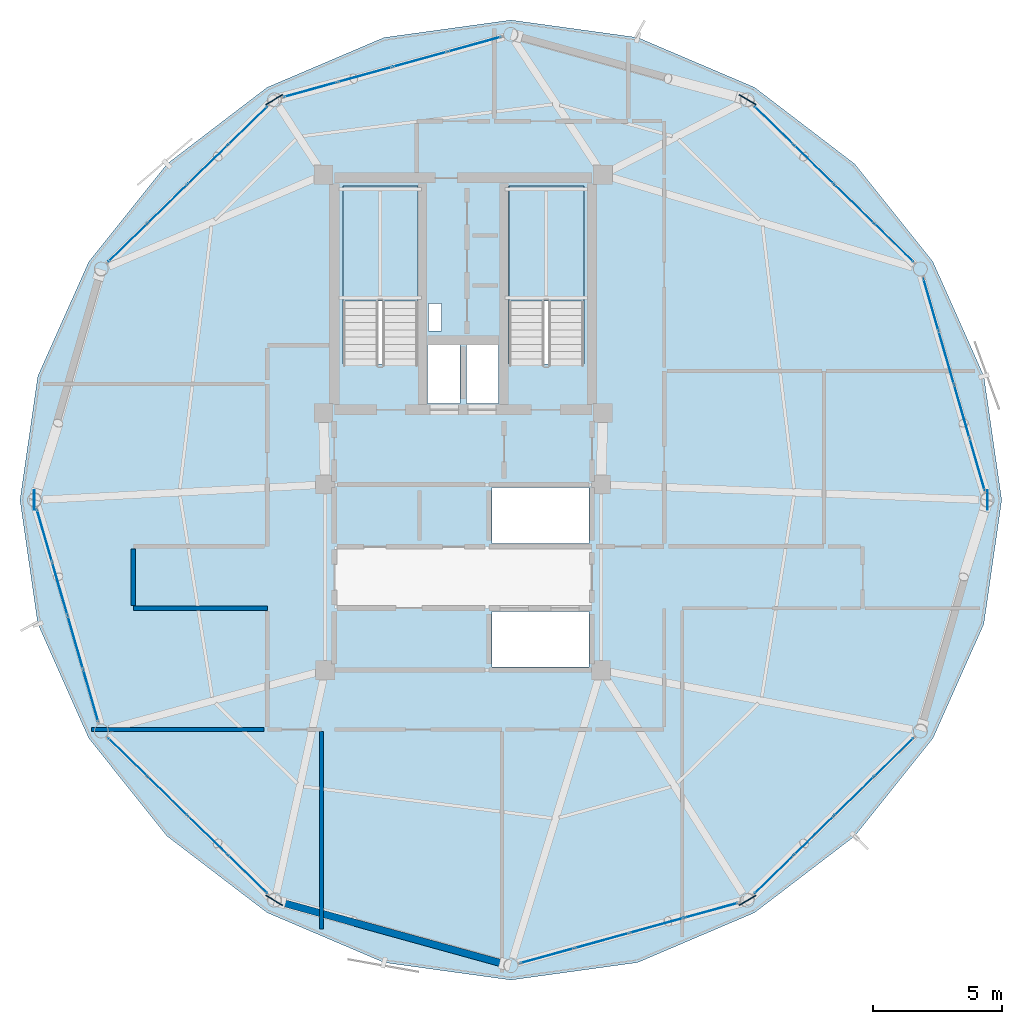
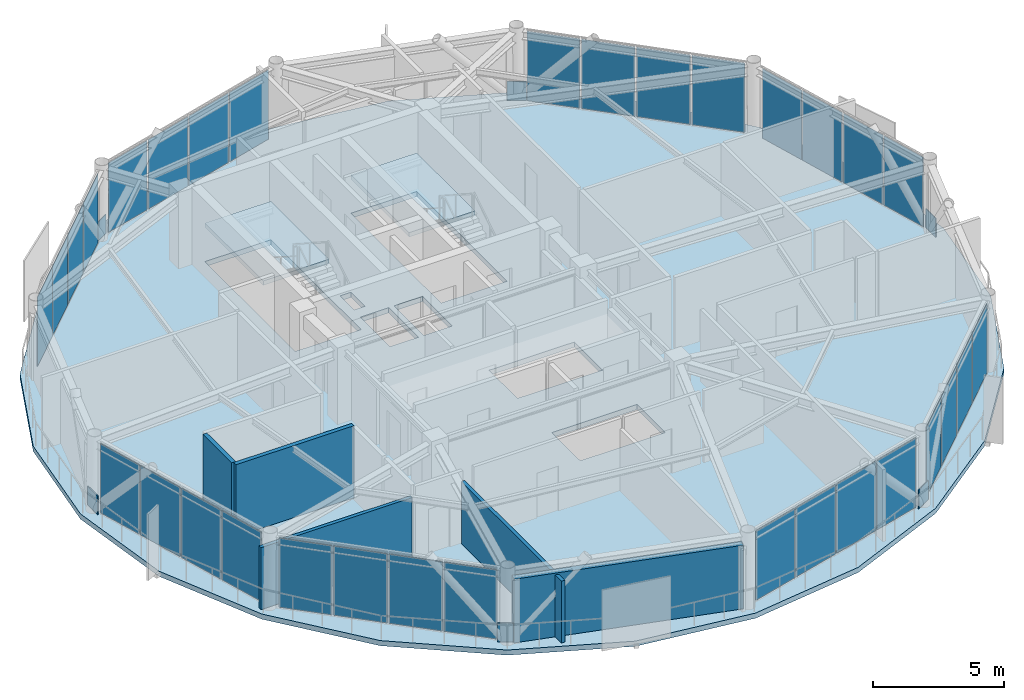
# One storey, part 21 of 27: 38 plates, 5 walls, 3 slabs, 10 elements without a shape of their own.
"""IFC4 building model written with IfcOpenShell, lengths in metres."""

from ifc_helpers import new_model, si_unit, direction, frame, frame_2d, origin, origin_2d, place, context, subcontext, project, spatial, polyline, rectangle, outline, extrude, source, transform, mapped, material, layer, layer_set, type_object, type_shapes, element, aggregate, save


model = new_model("IFC4")

# Units and contexts
model_context = context("Model", 3, precision=1e-05, world=origin(), true_north=direction((0.0, 1.0)))
body_context = subcontext(model_context, "Body", "Model", "MODEL_VIEW")
ifc_project = project(units=[si_unit("LENGTHUNIT", "METRE"), si_unit("AREAUNIT", "SQUARE_METRE"), si_unit("VOLUMEUNIT", "CUBIC_METRE"), si_unit("PLANEANGLEUNIT", "RADIAN"), si_unit("MASSUNIT", "GRAM", prefix="KILO")], contexts=[model_context])

# Site, building, storey
site_placement = place(None, origin())
site = spatial("IfcSite", under=ifc_project, at=site_placement, CompositionType="ELEMENT")
building_placement = place(site_placement, origin())
building = spatial("IfcBuilding", under=site, at=building_placement, Name="Varnakorn Sky Granary", CompositionType="ELEMENT")
storey_placement = place(building_placement, frame((0.0, 0.0, 249.0)))
storey = spatial("IfcBuildingStorey", under=building, at=storey_placement, Name="L63", CompositionType="ELEMENT", Elevation=249.0)

# Plates
ifc_material_1 = material(Name="Steel S460M", Category="steel")
ifc_layer_1 = layer(ifc_material_1, 0.035888671875, Name="Steel S460M")
ifc_layer_set_1 = layer_set([ifc_layer_1], Name="Steel S460M")
plate_type_1 = type_object("IfcPlateType", Name="PL-NODE-KN4", PredefinedType="SHEET", material=ifc_layer_set_1)
for number, where, z_axis, x_axis, name in (
    (1, (23.344970703125, 0.0, 0.0), (0.0, 0.0, 1.0), (0.0, 1.0, 0.0), "Diagrid Node Gusset Assembly KN4 L63-1"),
    (2, (14.030029296875, 15.534912109375, 0.0), (0.0, 0.0, 1.0), (-0.860918143155, 0.508743501961, 0.0), "Diagrid Node Gusset Assembly KN4 L63-3"),
    (3, (-4.330078125, 15.534912109375, 0.0), (0.0, 0.0, 1.0), (-0.860918143155, -0.508743501961, 0.0), "Diagrid Node Gusset Assembly KN4 L63-5"),
    (4, (-13.64501953125, 0.0, 0.0), (0.0, 0.0, 1.0), (0.0, -1.0, 0.0), "Diagrid Node Gusset Assembly KN4 L63-7"),
    (5, (-4.330078125, -15.534912109375, 0.0), (0.0, 0.0, 1.0), (0.860918143155, -0.508743501961, 0.0), "Diagrid Node Gusset Assembly KN4 L63-9"),
    (6, (14.030029296875, -15.534912109375, 0.0), (0.0, 0.0, 1.0), (0.860918143155, 0.508743501961, 0.0), "Diagrid Node Gusset Assembly KN4 L63-11"),
):
    element("IfcPlate", number, at=place(storey_placement, frame(where, z_axis=z_axis, x_axis=x_axis)), inside=storey, type_object=plate_type_1, Name=name, PredefinedType="SHEET", context=body_context, shape_type="SweptSolid", body=[
        extrude(rectangle(XDim=0.760009765625, YDim=0.035888671875, at=origin_2d()), origin(), (0.0, 0.0, 1.0), 0.8798828125),
    ])

# Stair, slab
ifc_material_2 = material(Name="Concrete C40/50", Category="concrete")
stair_type = type_object("IfcStairType", Name="ST-MAIN-ASSEMBLY", PredefinedType="HALF_TURN_STAIR", material=ifc_material_2)
stair_1_placement = place(storey_placement, origin())
stair_1 = element("IfcStair", 7, at=stair_1_placement, inside=storey, type_object=stair_type, Name="L63 Protected Exit Stair ST-1", PredefinedType="HALF_TURN_STAIR")
ifc_layer_2 = layer(ifc_material_2, 0.199951171875, Name="Concrete C40/50")
ifc_layer_set_2 = layer_set([ifc_layer_2], Name="Concrete C40/50")
slab_type_1 = type_object("IfcSlabType", Name="ST-MAIN-LAND", PredefinedType="LANDING", material=ifc_layer_set_2)
slab_1_placement = place(storey_placement, frame((0.0, 0.0, 1.60009765625)))
slab_1 = element("IfcSlab", 8, at=slab_1_placement, type_object=slab_type_1, Name="ST-1 landing 1", PredefinedType="LANDING", context=body_context, shape_type="SweptSolid", body=[
    extrude(outline(polyline([(1.239990234375, 7.719970703125), (1.239990234375, 12.179931640625), (-1.669921875, 12.179931640625), (-1.669921875, 7.719970703125), (1.239990234375, 7.719970703125)])), origin(), (0.0, 0.0, 1.0), 0.199951171875),
])
aggregate(stair_1, [slab_1])

stair_2_placement = place(storey_placement, origin())
stair_2 = element("IfcStair", 9, at=stair_2_placement, inside=storey, type_object=stair_type, Name="L63 Protected Exit Stair ST-2", PredefinedType="HALF_TURN_STAIR")
slab_2_placement = place(storey_placement, frame((0.0, 0.0, 1.60009765625)))
slab_2 = element("IfcSlab", 10, at=slab_2_placement, type_object=slab_type_1, Name="ST-2 landing 1", PredefinedType="LANDING", context=body_context, shape_type="SweptSolid", body=[
    extrude(outline(polyline([(7.679931640625, 7.719970703125), (7.679931640625, 12.179931640625), (4.77001953125, 12.179931640625), (4.77001953125, 7.719970703125), (7.679931640625, 7.719970703125)])), origin(), (0.0, 0.0, 1.0), 0.199951171875),
])
aggregate(stair_2, [slab_2])

# Slab
ifc_material_3 = material(Name="Concrete C50/60", Category="concrete")
ifc_layer_3 = layer(ifc_material_3, 0.239990234375, Name="Concrete C50/60")
ifc_layer_set_3 = layer_set([ifc_layer_3], Name="Concrete C50/60")
slab_type_2 = type_object("IfcSlabType", Name="ST-SL-TWR-240", PredefinedType="FLOOR", material=ifc_layer_set_3)
slab_3_placement = place(storey_placement, frame((0.0, 0.0, -0.239990234375)))
element("IfcSlab", 11, at=slab_3_placement, inside=storey, type_object=slab_type_2, Name="Level L63 Structural Floor Slab", PredefinedType="FLOOR", context=body_context, shape_type="SweptSolid", body=[
    extrude(outline(polyline([(23.89501953125, 0.0), (23.20263671875, 4.808349609375), (21.2265625, 9.243896484375), (18.189697265625, 13.041259765625), (14.304931640625, 16.010986328125), (9.767578125, 17.945068359375), (4.85009765625, 18.623046875), (-0.067626953125, 17.945068359375), (-4.60498046875, 16.010986328125), (-8.489501953125, 13.041259765625), (-11.526611328125, 9.243896484375), (-13.502685546875, 4.808349609375), (-14.195068359375, 0.0), (-13.502685546875, -4.808349609375), (-11.526611328125, -9.243896484375), (-8.489501953125, -13.041259765625), (-4.60498046875, -16.010986328125), (-0.067626953125, -17.945068359375), (4.85009765625, -18.623046875), (9.767578125, -17.945068359375), (14.304931640625, -16.010986328125), (18.189697265625, -13.041259765625), (21.2265625, -9.243896484375), (23.20263671875, -4.808349609375), (23.89501953125, 0.0)]), holes=[polyline([(1.239990234375, 5.27490234375), (1.239990234375, 12.179931640625), (-1.669921875, 12.179931640625), (-1.669921875, 5.27490234375), (1.239990234375, 5.27490234375)]), polyline([(7.679931640625, 5.27490234375), (7.679931640625, 12.179931640625), (4.77001953125, 12.179931640625), (4.77001953125, 5.27490234375), (7.679931640625, 5.27490234375)]), polyline([(1.659912109375, 6.550048828125), (2.14990234375, 6.550048828125), (2.14990234375, 7.6201171875), (1.659912109375, 7.6201171875), (1.659912109375, 6.550048828125)]), polyline([(1.6201171875, 3.739990234375), (2.8798828125, 3.739990234375), (2.8798828125, 6.010009765625), (1.6201171875, 6.010009765625), (1.6201171875, 3.739990234375)]), polyline([(3.1201171875, 3.739990234375), (4.3798828125, 3.739990234375), (4.3798828125, 6.010009765625), (3.1201171875, 6.010009765625), (3.1201171875, 3.739990234375)]), polyline([(4.1201171875, -1.679931640625), (7.8798828125, -1.679931640625), (7.8798828125, 0.47998046875), (4.1201171875, 0.47998046875), (4.1201171875, -1.679931640625)]), polyline([(4.1201171875, -6.47998046875), (7.8798828125, -6.47998046875), (7.8798828125, -4.320068359375), (4.1201171875, -4.320068359375), (4.1201171875, -6.47998046875)])]), origin(), (0.0, 0.0, 1.0), 0.239990234375),
])

# Curtain wall, plates
ifc_material_4 = material(Name="Anodised Bronze Aluminium Alloy 6063-T6", Category="aluminium")
ifc_layer_4 = layer(ifc_material_4, 0.159912109375, Name="Anodised Bronze Aluminium Alloy 6063-T6")
ifc_layer_set_4 = layer_set([ifc_layer_4], Name="Anodised Bronze Aluminium Alloy 6063-T6")
curtain_wall_type = type_object("IfcCurtainWallType", Name="CW-OFF-1", PredefinedType="USERDEFINED", material=ifc_layer_set_4)
curtain_wall_1_placement = place(storey_placement, origin())
curtain_wall_1 = element("IfcCurtainWall", 12, at=curtain_wall_1_placement, inside=storey, type_object=curtain_wall_type, Name="Unitised Curtain Wall CW6 CW-L63-B01", ObjectType="CURTAIN WALL", PredefinedType="USERDEFINED")
ifc_material_5 = material(Name="Low-E Tinted Laminated Glass", Category="glass")
ifc_layer_5 = layer(ifc_material_5, 0.02392578125, Name="Low-E Tinted Laminated Glass")
ifc_layer_set_5 = layer_set([ifc_layer_5], Name="Low-E Tinted Laminated Glass")
plate_type_2 = type_object("IfcPlateType", Name="CW-OFF-1-PNL", PredefinedType="CURTAIN_PANEL")
shared_shape_1 = source(origin(), body_context, "Body", "SweptSolid", [
    extrude(rectangle(XDim=2.06689453125, YDim=0.02392578125, at=origin_2d()), origin(), (0.0, 0.0, 1.0), 3.22998046875),
])
plate_1_placement = place(storey_placement, frame((21.14990234375, 7.587646484375, 0.06494140625), z_axis=(0.0, 0.0, 1.0), x_axis=(0.277898775352, -0.960610363601, 0.0)))
plate_1 = element("IfcPlate", 13, at=plate_1_placement, type_object=plate_type_2, material=ifc_layer_set_5, Name="CW6 vision glazing unit 1.1", PredefinedType="CURTAIN_PANEL", context=body_context, shape_type="MappedRepresentation", body=[
    mapped(shared_shape_1, transform((0.0, 0.0, 0.0), x_axis=(1.0, 0.0, 0.0), y_axis=(0.0, 1.0, 0.0), z_axis=(0.0, 0.0, 1.0), scale=1.0)),
])
ifc_material_6 = material(Name="Opaque Insulated Aluminium Shadow-Box Unit", Category="aluminium")
ifc_layer_6 = layer(ifc_material_6, 0.02392578125, Name="Opaque Insulated Aluminium Shadow-Box Unit")
ifc_layer_set_6 = layer_set([ifc_layer_6], Name="Opaque Insulated Aluminium Shadow-Box Unit")
plate_2_placement = place(storey_placement, frame((22.9453125, 1.38134765625, 0.06494140625), z_axis=(0.0, 0.0, 1.0), x_axis=(0.277898775352, -0.960610363601, 0.0)))
plate_2 = element("IfcPlate", 14, at=plate_2_placement, type_object=plate_type_2, material=ifc_layer_set_6, Name="CW6 opaque insulated shadow-box unit 4.1", PredefinedType="CURTAIN_PANEL", context=body_context, shape_type="MappedRepresentation", body=[
    mapped(shared_shape_1, transform((0.0, 0.0, 0.0), x_axis=(1.0, 0.0, 0.0), y_axis=(0.0, 1.0, 0.0), z_axis=(0.0, 0.0, 1.0), scale=1.0)),
])

curtain_wall_2_placement = place(storey_placement, origin())
curtain_wall_2 = element("IfcCurtainWall", 15, at=curtain_wall_2_placement, inside=storey, type_object=curtain_wall_type, Name="Unitised Curtain Wall CW6 CW-L63-B07", ObjectType="CURTAIN WALL", PredefinedType="USERDEFINED")
plate_3_placement = place(storey_placement, frame((-11.449951171875, -7.587646484375, 0.06494140625), z_axis=(0.0, 0.0, 1.0), x_axis=(-0.277898775352, 0.960610363601, 0.0)))
plate_3 = element("IfcPlate", 16, at=plate_3_placement, type_object=plate_type_2, material=ifc_layer_set_5, Name="CW6 vision glazing unit 1.1", PredefinedType="CURTAIN_PANEL", context=body_context, shape_type="MappedRepresentation", body=[
    mapped(shared_shape_1, transform((0.0, 0.0, 0.0), x_axis=(1.0, 0.0, 0.0), y_axis=(0.0, 1.0, 0.0), z_axis=(0.0, 0.0, 1.0), scale=1.0)),
])
plate_4_placement = place(storey_placement, frame((-13.245361328125, -1.38134765625, 0.06494140625), z_axis=(0.0, 0.0, 1.0), x_axis=(-0.277898775352, 0.960610363601, 0.0)))
plate_4 = element("IfcPlate", 17, at=plate_4_placement, type_object=plate_type_2, material=ifc_layer_set_6, Name="CW6 opaque insulated shadow-box unit 4.1", PredefinedType="CURTAIN_PANEL", context=body_context, shape_type="MappedRepresentation", body=[
    mapped(shared_shape_1, transform((0.0, 0.0, 0.0), x_axis=(1.0, 0.0, 0.0), y_axis=(0.0, 1.0, 0.0), z_axis=(0.0, 0.0, 1.0), scale=1.0)),
])

# Plate
shared_shape_2 = source(origin(), body_context, "Body", "SweptSolid", [
    extrude(rectangle(XDim=2.099365234375, YDim=0.02392578125, at=origin_2d()), origin(), (0.0, 0.0, 1.0), 3.22998046875),
])
plate_5_placement = place(storey_placement, frame((21.746826171875, 5.524169921875, 0.06494140625), z_axis=(0.0, 0.0, 1.0), x_axis=(0.277898775352, -0.960610363601, 0.0)))
plate_5 = element("IfcPlate", 18, at=plate_5_placement, type_object=plate_type_2, material=ifc_layer_set_5, Name="CW6 vision glazing unit 2.1", PredefinedType="CURTAIN_PANEL", context=body_context, shape_type="MappedRepresentation", body=[
    mapped(shared_shape_2, transform((0.0, 0.0, 0.0), x_axis=(1.0, 0.0, 0.0), y_axis=(0.0, 1.0, 0.0), z_axis=(0.0, 0.0, 1.0), scale=1.0)),
])

plate_6_placement = place(storey_placement, frame((22.348388671875, 3.44482421875, 0.06494140625), z_axis=(0.0, 0.0, 1.0), x_axis=(0.277898775352, -0.960610363601, 0.0)))
plate_6 = element("IfcPlate", 19, at=plate_6_placement, type_object=plate_type_2, material=ifc_layer_set_6, Name="CW6 opaque insulated shadow-box unit 3.1", PredefinedType="CURTAIN_PANEL", context=body_context, shape_type="MappedRepresentation", body=[
    mapped(shared_shape_2, transform((0.0, 0.0, 0.0), x_axis=(1.0, 0.0, 0.0), y_axis=(0.0, 1.0, 0.0), z_axis=(0.0, 0.0, 1.0), scale=1.0)),
])

aggregate(curtain_wall_1, [plate_1, plate_5, plate_6, plate_2])

plate_7_placement = place(storey_placement, frame((-12.046875, -5.524169921875, 0.06494140625), z_axis=(0.0, 0.0, 1.0), x_axis=(-0.277898775352, 0.960610363601, 0.0)))
plate_7 = element("IfcPlate", 20, at=plate_7_placement, type_object=plate_type_2, material=ifc_layer_set_5, Name="CW6 vision glazing unit 2.1", PredefinedType="CURTAIN_PANEL", context=body_context, shape_type="MappedRepresentation", body=[
    mapped(shared_shape_2, transform((0.0, 0.0, 0.0), x_axis=(1.0, 0.0, 0.0), y_axis=(0.0, 1.0, 0.0), z_axis=(0.0, 0.0, 1.0), scale=1.0)),
])

plate_8_placement = place(storey_placement, frame((-12.6484375, -3.44482421875, 0.06494140625), z_axis=(0.0, 0.0, 1.0), x_axis=(-0.277898775352, 0.960610363601, 0.0)))
plate_8 = element("IfcPlate", 21, at=plate_8_placement, type_object=plate_type_2, material=ifc_layer_set_6, Name="CW6 opaque insulated shadow-box unit 3.1", PredefinedType="CURTAIN_PANEL", context=body_context, shape_type="MappedRepresentation", body=[
    mapped(shared_shape_2, transform((0.0, 0.0, 0.0), x_axis=(1.0, 0.0, 0.0), y_axis=(0.0, 1.0, 0.0), z_axis=(0.0, 0.0, 1.0), scale=1.0)),
])

aggregate(curtain_wall_2, [plate_3, plate_7, plate_8, plate_4])

# Curtain wall, plates
curtain_wall_3_placement = place(storey_placement, origin())
curtain_wall_3 = element("IfcCurtainWall", 22, at=curtain_wall_3_placement, inside=storey, type_object=curtain_wall_type, Name="Unitised Curtain Wall CW6 CW-L63-B02", ObjectType="CURTAIN WALL", PredefinedType="USERDEFINED")
shared_shape_3 = source(origin(), body_context, "Body", "SweptSolid", [
    extrude(rectangle(XDim=2.08154296875, YDim=0.02392578125, at=origin_2d()), origin(), (0.0, 0.0, 1.0), 3.22998046875),
])
plate_9_placement = place(storey_placement, frame((15.063720703125, 14.524658203125, 0.06494140625), z_axis=(0.0, 0.0, 1.0), x_axis=(0.71528494936, -0.698832913663, 0.0)))
plate_9 = element("IfcPlate", 23, at=plate_9_placement, type_object=plate_type_2, material=ifc_layer_set_6, Name="CW6 opaque insulated shadow-box unit 1.1", PredefinedType="CURTAIN_PANEL", context=body_context, shape_type="MappedRepresentation", body=[
    mapped(shared_shape_3, transform((0.0, 0.0, 0.0), x_axis=(1.0, 0.0, 0.0), y_axis=(0.0, 1.0, 0.0), z_axis=(0.0, 0.0, 1.0), scale=1.0)),
])
plate_10_placement = place(storey_placement, frame((19.716552734375, 9.97900390625, 0.06494140625), z_axis=(0.0, 0.0, 1.0), x_axis=(0.71528494936, -0.698832913663, 0.0)))
plate_10 = element("IfcPlate", 24, at=plate_10_placement, type_object=plate_type_2, material=ifc_layer_set_5, Name="CW6 vision glazing unit 4.1", PredefinedType="CURTAIN_PANEL", context=body_context, shape_type="MappedRepresentation", body=[
    mapped(shared_shape_3, transform((0.0, 0.0, 0.0), x_axis=(1.0, 0.0, 0.0), y_axis=(0.0, 1.0, 0.0), z_axis=(0.0, 0.0, 1.0), scale=1.0)),
])

curtain_wall_4_placement = place(storey_placement, origin())
curtain_wall_4 = element("IfcCurtainWall", 25, at=curtain_wall_4_placement, inside=storey, type_object=curtain_wall_type, Name="Unitised Curtain Wall CW6 CW-L63-B05", ObjectType="CURTAIN WALL", PredefinedType="USERDEFINED")
plate_11_placement = place(storey_placement, frame((-10.016357421875, 9.97900390625, 0.06494140625), z_axis=(0.0, 0.0, 1.0), x_axis=(0.71528494936, 0.698832913663, 0.0)))
plate_11 = element("IfcPlate", 26, at=plate_11_placement, type_object=plate_type_2, material=ifc_layer_set_5, Name="CW6 vision glazing unit 1.1", PredefinedType="CURTAIN_PANEL", context=body_context, shape_type="MappedRepresentation", body=[
    mapped(shared_shape_3, transform((0.0, 0.0, 0.0), x_axis=(1.0, 0.0, 0.0), y_axis=(0.0, 1.0, 0.0), z_axis=(0.0, 0.0, 1.0), scale=1.0)),
])
plate_12_placement = place(storey_placement, frame((-5.36376953125, 14.524658203125, 0.06494140625), z_axis=(0.0, 0.0, 1.0), x_axis=(0.71528494936, 0.698832913663, 0.0)))
plate_12 = element("IfcPlate", 27, at=plate_12_placement, type_object=plate_type_2, material=ifc_layer_set_6, Name="CW6 opaque insulated shadow-box unit 4.1", PredefinedType="CURTAIN_PANEL", context=body_context, shape_type="MappedRepresentation", body=[
    mapped(shared_shape_3, transform((0.0, 0.0, 0.0), x_axis=(1.0, 0.0, 0.0), y_axis=(0.0, 1.0, 0.0), z_axis=(0.0, 0.0, 1.0), scale=1.0)),
])

curtain_wall_5_placement = place(storey_placement, origin())
curtain_wall_5 = element("IfcCurtainWall", 28, at=curtain_wall_5_placement, inside=storey, type_object=curtain_wall_type, Name="Unitised Curtain Wall CW6 CW-L63-B08", ObjectType="CURTAIN WALL", PredefinedType="USERDEFINED")
plate_13_placement = place(storey_placement, frame((-5.36376953125, -14.524658203125, 0.06494140625), z_axis=(0.0, 0.0, 1.0), x_axis=(-0.71528494936, 0.698832913663, 0.0)))
plate_13 = element("IfcPlate", 29, at=plate_13_placement, type_object=plate_type_2, material=ifc_layer_set_6, Name="CW6 opaque insulated shadow-box unit 1.1", PredefinedType="CURTAIN_PANEL", context=body_context, shape_type="MappedRepresentation", body=[
    mapped(shared_shape_3, transform((0.0, 0.0, 0.0), x_axis=(1.0, 0.0, 0.0), y_axis=(0.0, 1.0, 0.0), z_axis=(0.0, 0.0, 1.0), scale=1.0)),
])
plate_14_placement = place(storey_placement, frame((-10.016357421875, -9.97900390625, 0.06494140625), z_axis=(0.0, 0.0, 1.0), x_axis=(-0.71528494936, 0.698832913663, 0.0)))
plate_14 = element("IfcPlate", 30, at=plate_14_placement, type_object=plate_type_2, material=ifc_layer_set_5, Name="CW6 vision glazing unit 4.1", PredefinedType="CURTAIN_PANEL", context=body_context, shape_type="MappedRepresentation", body=[
    mapped(shared_shape_3, transform((0.0, 0.0, 0.0), x_axis=(1.0, 0.0, 0.0), y_axis=(0.0, 1.0, 0.0), z_axis=(0.0, 0.0, 1.0), scale=1.0)),
])

curtain_wall_6_placement = place(storey_placement, origin())
curtain_wall_6 = element("IfcCurtainWall", 31, at=curtain_wall_6_placement, inside=storey, type_object=curtain_wall_type, Name="Unitised Curtain Wall CW6 CW-L63-B11", ObjectType="CURTAIN WALL", PredefinedType="USERDEFINED")
plate_15_placement = place(storey_placement, frame((19.716552734375, -9.97900390625, 0.06494140625), z_axis=(0.0, 0.0, 1.0), x_axis=(-0.71528494936, -0.698832913663, 0.0)))
plate_15 = element("IfcPlate", 32, at=plate_15_placement, type_object=plate_type_2, material=ifc_layer_set_5, Name="CW6 vision glazing unit 1.1", PredefinedType="CURTAIN_PANEL", context=body_context, shape_type="MappedRepresentation", body=[
    mapped(shared_shape_3, transform((0.0, 0.0, 0.0), x_axis=(1.0, 0.0, 0.0), y_axis=(0.0, 1.0, 0.0), z_axis=(0.0, 0.0, 1.0), scale=1.0)),
])
plate_16_placement = place(storey_placement, frame((15.063720703125, -14.524658203125, 0.06494140625), z_axis=(0.0, 0.0, 1.0), x_axis=(-0.71528494936, -0.698832913663, 0.0)))
plate_16 = element("IfcPlate", 33, at=plate_16_placement, type_object=plate_type_2, material=ifc_layer_set_6, Name="CW6 opaque insulated shadow-box unit 4.1", PredefinedType="CURTAIN_PANEL", context=body_context, shape_type="MappedRepresentation", body=[
    mapped(shared_shape_3, transform((0.0, 0.0, 0.0), x_axis=(1.0, 0.0, 0.0), y_axis=(0.0, 1.0, 0.0), z_axis=(0.0, 0.0, 1.0), scale=1.0)),
])

# Plate
shared_shape_4 = source(origin(), body_context, "Body", "SweptSolid", [
    extrude(rectangle(XDim=2.114013671875, YDim=0.02392578125, at=origin_2d()), origin(), (0.0, 0.0, 1.0), 3.22998046875),
])
plate_17_placement = place(storey_placement, frame((16.61083984375, 13.01318359375, 0.06494140625), z_axis=(0.0, 0.0, 1.0), x_axis=(0.71528494936, -0.698832913663, 0.0)))
plate_17 = element("IfcPlate", 34, at=plate_17_placement, type_object=plate_type_2, material=ifc_layer_set_6, Name="CW6 opaque insulated shadow-box unit 2.1", PredefinedType="CURTAIN_PANEL", context=body_context, shape_type="MappedRepresentation", body=[
    mapped(shared_shape_4, transform((0.0, 0.0, 0.0), x_axis=(1.0, 0.0, 0.0), y_axis=(0.0, 1.0, 0.0), z_axis=(0.0, 0.0, 1.0), scale=1.0)),
])

plate_18_placement = place(storey_placement, frame((18.16943359375, 11.490478515625, 0.06494140625), z_axis=(0.0, 0.0, 1.0), x_axis=(0.71528494936, -0.698832913663, 0.0)))
plate_18 = element("IfcPlate", 35, at=plate_18_placement, type_object=plate_type_2, material=ifc_layer_set_5, Name="CW6 vision glazing unit 3.1", PredefinedType="CURTAIN_PANEL", context=body_context, shape_type="MappedRepresentation", body=[
    mapped(shared_shape_4, transform((0.0, 0.0, 0.0), x_axis=(1.0, 0.0, 0.0), y_axis=(0.0, 1.0, 0.0), z_axis=(0.0, 0.0, 1.0), scale=1.0)),
])

aggregate(curtain_wall_3, [plate_9, plate_17, plate_18, plate_10])

plate_19_placement = place(storey_placement, frame((-8.469482421875, 11.490478515625, 0.06494140625), z_axis=(0.0, 0.0, 1.0), x_axis=(0.71528494936, 0.698832913663, 0.0)))
plate_19 = element("IfcPlate", 36, at=plate_19_placement, type_object=plate_type_2, material=ifc_layer_set_5, Name="CW6 vision glazing unit 2.1", PredefinedType="CURTAIN_PANEL", context=body_context, shape_type="MappedRepresentation", body=[
    mapped(shared_shape_4, transform((0.0, 0.0, 0.0), x_axis=(1.0, 0.0, 0.0), y_axis=(0.0, 1.0, 0.0), z_axis=(0.0, 0.0, 1.0), scale=1.0)),
])

plate_20_placement = place(storey_placement, frame((-6.910888671875, 13.01318359375, 0.06494140625), z_axis=(0.0, 0.0, 1.0), x_axis=(0.71528494936, 0.698832913663, 0.0)))
plate_20 = element("IfcPlate", 37, at=plate_20_placement, type_object=plate_type_2, material=ifc_layer_set_6, Name="CW6 opaque insulated shadow-box unit 3.1", PredefinedType="CURTAIN_PANEL", context=body_context, shape_type="MappedRepresentation", body=[
    mapped(shared_shape_4, transform((0.0, 0.0, 0.0), x_axis=(1.0, 0.0, 0.0), y_axis=(0.0, 1.0, 0.0), z_axis=(0.0, 0.0, 1.0), scale=1.0)),
])

aggregate(curtain_wall_4, [plate_11, plate_19, plate_20, plate_12])

plate_21_placement = place(storey_placement, frame((-6.910888671875, -13.01318359375, 0.06494140625), z_axis=(0.0, 0.0, 1.0), x_axis=(-0.71528494936, 0.698832913663, 0.0)))
plate_21 = element("IfcPlate", 38, at=plate_21_placement, type_object=plate_type_2, material=ifc_layer_set_6, Name="CW6 opaque insulated shadow-box unit 2.1", PredefinedType="CURTAIN_PANEL", context=body_context, shape_type="MappedRepresentation", body=[
    mapped(shared_shape_4, transform((0.0, 0.0, 0.0), x_axis=(1.0, 0.0, 0.0), y_axis=(0.0, 1.0, 0.0), z_axis=(0.0, 0.0, 1.0), scale=1.0)),
])

plate_22_placement = place(storey_placement, frame((-8.469482421875, -11.490478515625, 0.06494140625), z_axis=(0.0, 0.0, 1.0), x_axis=(-0.71528494936, 0.698832913663, 0.0)))
plate_22 = element("IfcPlate", 39, at=plate_22_placement, type_object=plate_type_2, material=ifc_layer_set_5, Name="CW6 vision glazing unit 3.1", PredefinedType="CURTAIN_PANEL", context=body_context, shape_type="MappedRepresentation", body=[
    mapped(shared_shape_4, transform((0.0, 0.0, 0.0), x_axis=(1.0, 0.0, 0.0), y_axis=(0.0, 1.0, 0.0), z_axis=(0.0, 0.0, 1.0), scale=1.0)),
])

aggregate(curtain_wall_5, [plate_13, plate_21, plate_22, plate_14])

plate_23_placement = place(storey_placement, frame((18.16943359375, -11.490478515625, 0.06494140625), z_axis=(0.0, 0.0, 1.0), x_axis=(-0.71528494936, -0.698832913663, 0.0)))
plate_23 = element("IfcPlate", 40, at=plate_23_placement, type_object=plate_type_2, material=ifc_layer_set_5, Name="CW6 vision glazing unit 2.1", PredefinedType="CURTAIN_PANEL", context=body_context, shape_type="MappedRepresentation", body=[
    mapped(shared_shape_4, transform((0.0, 0.0, 0.0), x_axis=(1.0, 0.0, 0.0), y_axis=(0.0, 1.0, 0.0), z_axis=(0.0, 0.0, 1.0), scale=1.0)),
])

plate_24_placement = place(storey_placement, frame((16.61083984375, -13.01318359375, 0.06494140625), z_axis=(0.0, 0.0, 1.0), x_axis=(-0.71528494936, -0.698832913663, 0.0)))
plate_24 = element("IfcPlate", 41, at=plate_24_placement, type_object=plate_type_2, material=ifc_layer_set_6, Name="CW6 opaque insulated shadow-box unit 3.1", PredefinedType="CURTAIN_PANEL", context=body_context, shape_type="MappedRepresentation", body=[
    mapped(shared_shape_4, transform((0.0, 0.0, 0.0), x_axis=(1.0, 0.0, 0.0), y_axis=(0.0, 1.0, 0.0), z_axis=(0.0, 0.0, 1.0), scale=1.0)),
])

aggregate(curtain_wall_6, [plate_15, plate_23, plate_24, plate_16])

# Curtain wall, plates
curtain_wall_7_placement = place(storey_placement, origin())
curtain_wall_7 = element("IfcCurtainWall", 42, at=curtain_wall_7_placement, inside=storey, type_object=curtain_wall_type, Name="Unitised Curtain Wall CW6 CW-L63-B04", ObjectType="CURTAIN WALL", PredefinedType="USERDEFINED")
shared_shape_5 = source(origin(), body_context, "Body", "SweptSolid", [
    extrude(rectangle(XDim=2.11376953125, YDim=0.02392578125, at=origin_2d()), origin(), (0.0, 0.0, 1.0), 3.22998046875),
])
plate_25_placement = place(storey_placement, frame((-2.92138671875, 15.92431640625, 0.06494140625), z_axis=(0.0, 0.0, 1.0), x_axis=(0.963838555762, 0.266486844753, 0.0)))
plate_25 = element("IfcPlate", 43, at=plate_25_placement, type_object=plate_type_2, material=ifc_layer_set_6, Name="CW6 opaque insulated shadow-box unit 1.1", PredefinedType="CURTAIN_PANEL", context=body_context, shape_type="MappedRepresentation", body=[
    mapped(shared_shape_5, transform((0.0, 0.0, 0.0), x_axis=(1.0, 0.0, 0.0), y_axis=(0.0, 1.0, 0.0), z_axis=(0.0, 0.0, 1.0), scale=1.0)),
])
plate_26_placement = place(storey_placement, frame((3.44140625, 17.68359375, 0.06494140625), z_axis=(0.0, 0.0, 1.0), x_axis=(0.963838555762, 0.266486844753, 0.0)))
plate_26 = element("IfcPlate", 44, at=plate_26_placement, type_object=plate_type_2, material=ifc_layer_set_5, Name="CW6 vision glazing unit 4.1", PredefinedType="CURTAIN_PANEL", context=body_context, shape_type="MappedRepresentation", body=[
    mapped(shared_shape_5, transform((0.0, 0.0, 0.0), x_axis=(1.0, 0.0, 0.0), y_axis=(0.0, 1.0, 0.0), z_axis=(0.0, 0.0, 1.0), scale=1.0)),
])

curtain_wall_8_placement = place(storey_placement, origin())
curtain_wall_8 = element("IfcCurtainWall", 45, at=curtain_wall_8_placement, inside=storey, type_object=curtain_wall_type, Name="Unitised Curtain Wall CW6 CW-L63-B10", ObjectType="CURTAIN WALL", PredefinedType="USERDEFINED")
plate_27_placement = place(storey_placement, frame((12.621337890625, -15.92431640625, 0.06494140625), z_axis=(0.0, 0.0, 1.0), x_axis=(-0.963838555762, -0.266486844753, 0.0)))
plate_27 = element("IfcPlate", 46, at=plate_27_placement, type_object=plate_type_2, material=ifc_layer_set_6, Name="CW6 opaque insulated shadow-box unit 1.1", PredefinedType="CURTAIN_PANEL", context=body_context, shape_type="MappedRepresentation", body=[
    mapped(shared_shape_5, transform((0.0, 0.0, 0.0), x_axis=(1.0, 0.0, 0.0), y_axis=(0.0, 1.0, 0.0), z_axis=(0.0, 0.0, 1.0), scale=1.0)),
])
plate_28_placement = place(storey_placement, frame((6.258544921875, -17.68359375, 0.06494140625), z_axis=(0.0, 0.0, 1.0), x_axis=(-0.963838555762, -0.266486844753, 0.0)))
plate_28 = element("IfcPlate", 47, at=plate_28_placement, type_object=plate_type_2, material=ifc_layer_set_5, Name="CW6 vision glazing unit 4.1", PredefinedType="CURTAIN_PANEL", context=body_context, shape_type="MappedRepresentation", body=[
    mapped(shared_shape_5, transform((0.0, 0.0, 0.0), x_axis=(1.0, 0.0, 0.0), y_axis=(0.0, 1.0, 0.0), z_axis=(0.0, 0.0, 1.0), scale=1.0)),
])

# Plate
shared_shape_6 = source(origin(), body_context, "Body", "SweptSolid", [
    extrude(rectangle(XDim=2.146484375, YDim=0.02392578125, at=origin_2d()), origin(), (0.0, 0.0, 1.0), 3.22998046875),
])
type_shapes(plate_type_2, [shared_shape_1, shared_shape_2, shared_shape_3, shared_shape_4, shared_shape_5, shared_shape_6])
plate_29_placement = place(storey_placement, frame((-0.8056640625, 16.50927734375, 0.06494140625), z_axis=(0.0, 0.0, 1.0), x_axis=(0.963838555762, 0.266486844753, 0.0)))
plate_29 = element("IfcPlate", 48, at=plate_29_placement, type_object=plate_type_2, material=ifc_layer_set_6, Name="CW6 opaque insulated shadow-box unit 2.1", PredefinedType="CURTAIN_PANEL", context=body_context, shape_type="MappedRepresentation", body=[
    mapped(shared_shape_6, transform((0.0, 0.0, 0.0), x_axis=(1.0, 0.0, 0.0), y_axis=(0.0, 1.0, 0.0), z_axis=(0.0, 0.0, 1.0), scale=1.0)),
])

plate_30_placement = place(storey_placement, frame((1.32568359375, 17.0986328125, 0.06494140625), z_axis=(0.0, 0.0, 1.0), x_axis=(0.963838555762, 0.266486844753, 0.0)))
plate_30 = element("IfcPlate", 49, at=plate_30_placement, type_object=plate_type_2, material=ifc_layer_set_5, Name="CW6 vision glazing unit 3.1", PredefinedType="CURTAIN_PANEL", context=body_context, shape_type="MappedRepresentation", body=[
    mapped(shared_shape_6, transform((0.0, 0.0, 0.0), x_axis=(1.0, 0.0, 0.0), y_axis=(0.0, 1.0, 0.0), z_axis=(0.0, 0.0, 1.0), scale=1.0)),
])

aggregate(curtain_wall_7, [plate_25, plate_29, plate_30, plate_26])

plate_31_placement = place(storey_placement, frame((10.505615234375, -16.50927734375, 0.06494140625), z_axis=(0.0, 0.0, 1.0), x_axis=(-0.963838555762, -0.266486844753, 0.0)))
plate_31 = element("IfcPlate", 50, at=plate_31_placement, type_object=plate_type_2, material=ifc_layer_set_6, Name="CW6 opaque insulated shadow-box unit 2.1", PredefinedType="CURTAIN_PANEL", context=body_context, shape_type="MappedRepresentation", body=[
    mapped(shared_shape_6, transform((0.0, 0.0, 0.0), x_axis=(1.0, 0.0, 0.0), y_axis=(0.0, 1.0, 0.0), z_axis=(0.0, 0.0, 1.0), scale=1.0)),
])

plate_32_placement = place(storey_placement, frame((8.374267578125, -17.0986328125, 0.06494140625), z_axis=(0.0, 0.0, 1.0), x_axis=(-0.963838555762, -0.266486844753, 0.0)))
plate_32 = element("IfcPlate", 51, at=plate_32_placement, type_object=plate_type_2, material=ifc_layer_set_5, Name="CW6 vision glazing unit 3.1", PredefinedType="CURTAIN_PANEL", context=body_context, shape_type="MappedRepresentation", body=[
    mapped(shared_shape_6, transform((0.0, 0.0, 0.0), x_axis=(1.0, 0.0, 0.0), y_axis=(0.0, 1.0, 0.0), z_axis=(0.0, 0.0, 1.0), scale=1.0)),
])

aggregate(curtain_wall_8, [plate_27, plate_31, plate_32, plate_28])

# Walls
ifc_material_7 = material(Name="Precast concrete C40/50", Category="concrete")
ifc_layer_7 = layer(ifc_material_7, 0.280029296875, Name="Precast concrete C40/50")
ifc_layer_set_7 = layer_set([ifc_layer_7], Name="Precast concrete C40/50")
wall_type_1 = type_object("IfcWallType", Name="WT-EW-CRN-280", PredefinedType="SOLIDWALL", material=ifc_layer_set_7)
wall_1_placement = place(storey_placement, frame((4.6240234375, -18.010498046875, 0.0), z_axis=(0.0, 0.0, 1.0), x_axis=(-0.963840886529, 0.266478414614, 0.0)))
element("IfcWall", 52, at=wall_1_placement, inside=storey, type_object=wall_type_1, Name="Agritech Insulated Precast Facade Wall L63-P09", PredefinedType="SOLIDWALL", context=body_context, shape_type="SweptSolid", body=[
    extrude(rectangle(XDim=9.055419921875, YDim=0.280029296875, at=frame_2d((4.52783203125, 0.0))), origin(), (0.0, 0.0, 1.0), 2.969970703125),
])
ifc_material_8 = material(Name="Gypsum Plasterboard on Steel Stud", Category="steel")
ifc_layer_8 = layer(ifc_material_8, 0.14990234375, Name="Gypsum Plasterboard on Steel Stud")
ifc_layer_set_8 = layer_set([ifc_layer_8], Name="Gypsum Plasterboard on Steel Stud")
wall_type_2 = type_object("IfcWallType", Name="WT-PART-150", PredefinedType="PARTITIONING", material=ifc_layer_set_8)
wall_2_placement = place(storey_placement, frame((-2.5, -8.985107421875, 0.0), z_axis=(0.0, 0.0, 1.0), x_axis=(0.0, -1.0, 0.0)))
element("IfcWall", 53, at=wall_2_placement, inside=storey, type_object=wall_type_2, Name="Interior Partition Wall L63-037", PredefinedType="PARTITIONING", context=body_context, shape_type="SweptSolid", body=[
    extrude(rectangle(XDim=7.664794921875, YDim=0.14990234375, at=frame_2d((3.83251953125, 0.0))), origin(), (0.0, 0.0, 1.0), 2.89208984375),
])
wall_3_placement = place(storey_placement, frame((-11.4189453125, -8.89990234375, 0.0), z_axis=(0.0, 0.0, 1.0), x_axis=(1.0, 0.0, 0.0)))
element("IfcWall", 54, at=wall_3_placement, inside=storey, type_object=wall_type_2, Name="Interior Partition Wall L63-038", PredefinedType="PARTITIONING", context=body_context, shape_type="SweptSolid", body=[
    extrude(rectangle(XDim=6.683837890625, YDim=0.14990234375, at=frame_2d((3.341796875, 0.0))), origin(), (0.0, 0.0, 1.0), 2.89208984375),
])
ifc_material_9 = material(Name="Moisture-Resistant Gypsum on Stud", Category="gypsum")
ifc_layer_9 = layer(ifc_material_9, 0.179931640625, Name="Moisture-Resistant Gypsum on Stud")
ifc_layer_set_9 = layer_set([ifc_layer_9], Name="Moisture-Resistant Gypsum on Stud")
wall_type_3 = type_object("IfcWallType", Name="WT-PLUMB-180", PredefinedType="PLUMBINGWALL", material=ifc_layer_set_9)
wall_4_placement = place(storey_placement, frame((-9.800048828125, -4.199951171875, 0.0), z_axis=(0.0, 0.0, 1.0), x_axis=(1.0, 0.0, 0.0)))
element("IfcWall", 55, at=wall_4_placement, inside=storey, type_object=wall_type_3, Name="Interior Partition Wall L63-047", PredefinedType="PLUMBINGWALL", context=body_context, shape_type="SweptSolid", body=[
    extrude(rectangle(XDim=5.199951171875, YDim=0.179931640625, at=frame_2d((2.60009765625, 0.0))), origin(), (0.0, 0.0, 1.0), 3.360107421875),
])
wall_5_placement = place(storey_placement, frame((-9.800048828125, -1.89990234375, 0.0), z_axis=(0.0, 0.0, 1.0), x_axis=(0.0, -1.0, 0.0)))
element("IfcWall", 56, at=wall_5_placement, inside=storey, type_object=wall_type_3, Name="Interior Partition Wall L63-048", PredefinedType="PLUMBINGWALL", context=body_context, shape_type="SweptSolid", body=[
    extrude(rectangle(XDim=2.2001953125, YDim=0.179931640625, at=frame_2d((1.10009765625, 0.0))), origin(), (0.0, 0.0, 1.0), 3.360107421875),
])

save(model, "model.ifc")
